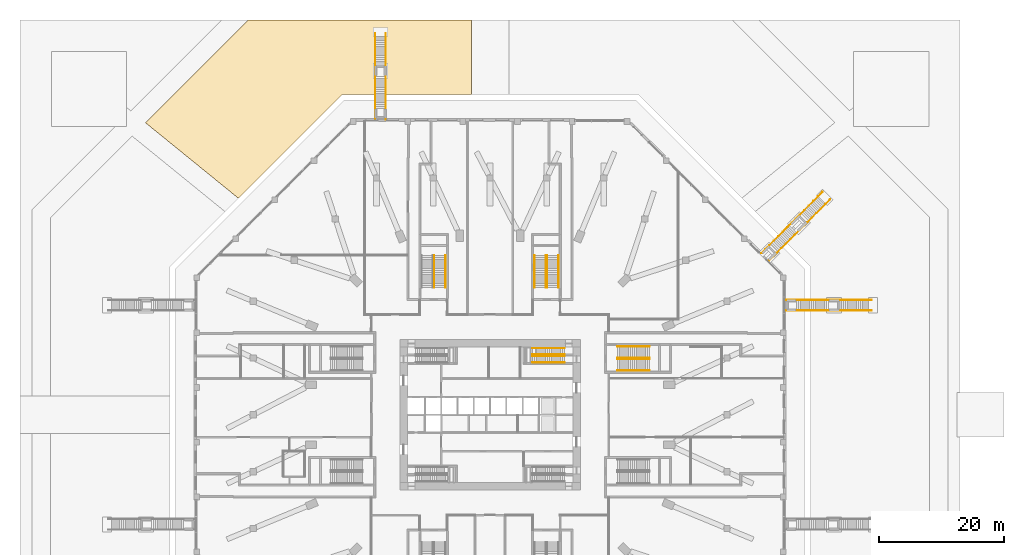
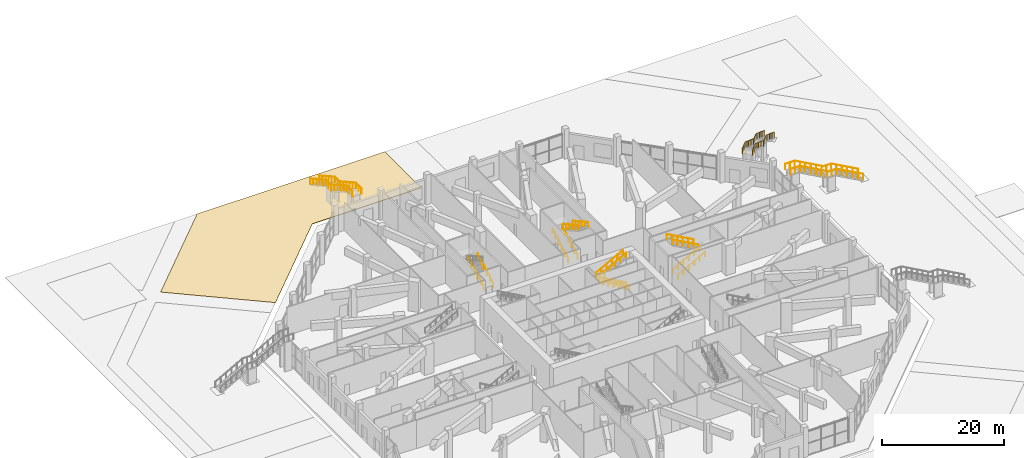
# One storey, part 34 of 36: 20 railings, 1 covering.
"""IFC4 building model written with IfcOpenShell, lengths in metres."""

from ifc_helpers import new_model, si_unit, direction, frame, origin, origin_2d, place, context, subcontext, project, spatial, polyline, circle, outline, extrude, material, layer, layer_set, constituent, constituent_set, type_object, element, save


model = new_model("IFC4")

# Units and contexts
model_context = context("Model", 3, precision=1e-05, world=origin(), true_north=direction((0.0, 1.0)))
body_context = subcontext(model_context, "Body", "Model", "MODEL_VIEW")
ifc_project = project(units=[si_unit("LENGTHUNIT", "METRE"), si_unit("AREAUNIT", "SQUARE_METRE"), si_unit("VOLUMEUNIT", "CUBIC_METRE"), si_unit("PLANEANGLEUNIT", "RADIAN"), si_unit("MASSUNIT", "GRAM", prefix="KILO")], contexts=[model_context])

# Site, building, storey
site_placement = place(None, origin())
site = spatial("IfcSite", under=ifc_project, at=site_placement, CompositionType="ELEMENT")
building_placement = place(site_placement, origin())
building = spatial("IfcBuilding", under=site, at=building_placement, Name="Msitu Wima Residences", CompositionType="ELEMENT")
storey_placement = place(building_placement, origin())
storey = spatial("IfcBuildingStorey", under=building, at=storey_placement, Name="L00", CompositionType="ELEMENT", Elevation=0.0)

# Covering
ifc_material_1 = material(Name="Lawn and planting")
ifc_layer = layer(ifc_material_1, 0.10009765625)
ifc_layer_set = layer_set([ifc_layer], Name="Lawn and planting")
covering_type = type_object("IfcCoveringType", Name="Garden lawn LN100", PredefinedType="USERDEFINED", material=ifc_layer_set)
covering_placement = place(storey_placement, frame((0.0, 0.0, -0.10009765625)))
element("IfcCovering", 1, at=covering_placement, inside=storey, type_object=covering_type, Name="Public garden lawn and planting", ObjectType="LAWN", PredefinedType="USERDEFINED", context=body_context, shape_type="SweptSolid", body=[
    extrude(outline(polyline([(-3.0, 63.0), (-3.0, 51.10009765625), (-23.636962890625, 51.10009765625), (-40.16796875, 34.569091796875), (-54.99267578125, 46.6142578125), (-38.60693359375, 63.0), (-3.0, 63.0)])), origin(), (0.0, 0.0, 1.0), 0.10009765625),
])

# Railings
ifc_material_2 = material(Name="Steel S355", Category="steel")
ifc_constituent_1 = constituent(ifc_material_2, Name="Steel S355")
ifc_material_3 = material(Name="Black powder coating")
ifc_constituent_2 = constituent(ifc_material_3, Name="Black powder coating")
ifc_constituent_set_1 = constituent_set(constituents=[ifc_constituent_1, ifc_constituent_2], Name="Steel S355")
railing_type_1 = type_object("IfcRailingType", Name="Stair handrail HR1", PredefinedType="HANDRAIL", material=ifc_constituent_set_1)
for number, where, name in (
    (2, (11.875, 8.375, 0.166748046875), "Stair 3 handrail"),
    (3, (11.875, 9.375, 0.166748046875), "Stair 3 handrail"),
):
    element("IfcRailing", number, at=place(storey_placement, frame(where)), inside=storey, type_object=railing_type_1, Name=name, PredefinedType="HANDRAIL", context=body_context, shape_type="SweptSolid", body=[
        extrude(circle(Radius=0.02392578125, at=origin_2d()), frame((0.0, 0.0, 0.8759765625), z_axis=(-0.874167145328, 0.0, 0.485625166182), x_axis=(0.0, -1.0, 0.0)), (0.0, 0.0, 1.0), 5.834228515625),
        extrude(circle(Radius=0.02099609375, at=origin_2d()), origin(), (0.0, 0.0, 1.0), 0.851806640625),
        extrude(circle(Radius=0.02099609375, at=origin_2d()), frame((-1.02001953125, 0.0, 0.566650390625)), (0.0, 0.0, 1.0), 0.851806640625),
        extrude(circle(Radius=0.02099609375, at=origin_2d()), frame((-2.0400390625, 0.0, 1.13330078125)), (0.0, 0.0, 1.0), 0.851806640625),
        extrude(circle(Radius=0.02099609375, at=origin_2d()), frame((-3.06005859375, 0.0, 1.699951171875)), (0.0, 0.0, 1.0), 0.851806640625),
        extrude(circle(Radius=0.02099609375, at=origin_2d()), frame((-4.080078125, 0.0, 2.2666015625)), (0.0, 0.0, 1.0), 0.851806640625),
        extrude(circle(Radius=0.02099609375, at=origin_2d()), frame((-5.10009765625, 0.0, 2.833251953125)), (0.0, 0.0, 1.0), 0.851806640625),
    ])
for number, where, name in (
    (4, (6.77490234375, 9.625, 3.166748046875), "Stair 3 handrail"),
    (5, (6.77490234375, 10.625, 3.166748046875), "Stair 3 handrail"),
    (6, (20.324951171875, 7.10009765625, 0.166748046875), "Podium exit stair 1 handrail"),
    (7, (20.324951171875, 8.89990234375, 0.166748046875), "Podium exit stair 1 handrail"),
):
    element("IfcRailing", number, at=place(storey_placement, frame(where)), inside=storey, type_object=railing_type_1, Name=name, PredefinedType="HANDRAIL", context=body_context, shape_type="SweptSolid", body=[
        extrude(circle(Radius=0.02392578125, at=origin_2d()), frame((0.0, 0.0, 0.8759765625), z_axis=(0.874167145328, 0.0, 0.485625166182), x_axis=(0.0, 1.0, 0.0)), (0.0, 0.0, 1.0), 5.834228515625),
        extrude(circle(Radius=0.02099609375, at=origin_2d()), origin(), (0.0, 0.0, 1.0), 0.851806640625),
        extrude(circle(Radius=0.02099609375, at=origin_2d()), frame((1.02001953125, 0.0, 0.566650390625)), (0.0, 0.0, 1.0), 0.851806640625),
        extrude(circle(Radius=0.02099609375, at=origin_2d()), frame((2.0400390625, 0.0, 1.13330078125)), (0.0, 0.0, 1.0), 0.851806640625),
        extrude(circle(Radius=0.02099609375, at=origin_2d()), frame((3.06005859375, 0.0, 1.699951171875)), (0.0, 0.0, 1.0), 0.851806640625),
        extrude(circle(Radius=0.02099609375, at=origin_2d()), frame((4.080078125, 0.0, 2.2666015625)), (0.0, 0.0, 1.0), 0.851806640625),
        extrude(circle(Radius=0.02099609375, at=origin_2d()), frame((5.10009765625, 0.0, 2.833251953125)), (0.0, 0.0, 1.0), 0.851806640625),
    ])
for number, where, name in (
    (8, (25.425048828125, 9.10009765625, 3.166748046875), "Podium exit stair 1 handrail"),
    (9, (25.425048828125, 10.89990234375, 3.166748046875), "Podium exit stair 1 handrail"),
):
    element("IfcRailing", number, at=place(storey_placement, frame(where)), inside=storey, type_object=railing_type_1, Name=name, PredefinedType="HANDRAIL", context=body_context, shape_type="SweptSolid", body=[
        extrude(circle(Radius=0.02392578125, at=origin_2d()), frame((0.0, 0.0, 0.8759765625), z_axis=(-0.874167145328, 0.0, 0.485625166182), x_axis=(0.0, -1.0, 0.0)), (0.0, 0.0, 1.0), 5.834228515625),
        extrude(circle(Radius=0.02099609375, at=origin_2d()), origin(), (0.0, 0.0, 1.0), 0.851806640625),
        extrude(circle(Radius=0.02099609375, at=origin_2d()), frame((-1.02001953125, 0.0, 0.566650390625)), (0.0, 0.0, 1.0), 0.851806640625),
        extrude(circle(Radius=0.02099609375, at=origin_2d()), frame((-2.0400390625, 0.0, 1.13330078125)), (0.0, 0.0, 1.0), 0.851806640625),
        extrude(circle(Radius=0.02099609375, at=origin_2d()), frame((-3.06005859375, 0.0, 1.699951171875)), (0.0, 0.0, 1.0), 0.851806640625),
        extrude(circle(Radius=0.02099609375, at=origin_2d()), frame((-4.080078125, 0.0, 2.2666015625)), (0.0, 0.0, 1.0), 0.851806640625),
        extrude(circle(Radius=0.02099609375, at=origin_2d()), frame((-5.10009765625, 0.0, 2.833251953125)), (0.0, 0.0, 1.0), 0.851806640625),
    ])
for number, where, name in (
    (10, (-7.10009765625, 20.324951171875, 0.166748046875), "Podium exit stair 3 handrail"),
    (11, (-8.89990234375, 20.324951171875, 0.166748046875), "Podium exit stair 3 handrail"),
    (12, (7.10009765625, 20.324951171875, 0.166748046875), "Podium exit stair 4 handrail"),
    (13, (8.89990234375, 20.324951171875, 0.166748046875), "Podium exit stair 4 handrail"),
):
    element("IfcRailing", number, at=place(storey_placement, frame(where)), inside=storey, type_object=railing_type_1, Name=name, PredefinedType="HANDRAIL", context=body_context, shape_type="SweptSolid", body=[
        extrude(circle(Radius=0.02392578125, at=origin_2d()), frame((0.0, 0.0, 0.8759765625), z_axis=(0.0, 0.874167145328, 0.485625166182), x_axis=(-1.0, 0.0, 0.0)), (0.0, 0.0, 1.0), 5.834228515625),
        extrude(circle(Radius=0.02099609375, at=origin_2d()), origin(), (0.0, 0.0, 1.0), 0.851806640625),
        extrude(circle(Radius=0.02099609375, at=origin_2d()), frame((0.0, 1.02001953125, 0.566650390625)), (0.0, 0.0, 1.0), 0.851806640625),
        extrude(circle(Radius=0.02099609375, at=origin_2d()), frame((0.0, 2.0400390625, 1.13330078125)), (0.0, 0.0, 1.0), 0.851806640625),
        extrude(circle(Radius=0.02099609375, at=origin_2d()), frame((0.0, 3.06005859375, 1.699951171875)), (0.0, 0.0, 1.0), 0.851806640625),
        extrude(circle(Radius=0.02099609375, at=origin_2d()), frame((0.0, 4.080078125, 2.2666015625)), (0.0, 0.0, 1.0), 0.851806640625),
        extrude(circle(Radius=0.02099609375, at=origin_2d()), frame((0.0, 5.10009765625, 2.833251953125)), (0.0, 0.0, 1.0), 0.851806640625),
    ])
for number, where, name in (
    (14, (9.10009765625, 25.425048828125, 3.166748046875), "Podium exit stair 4 handrail"),
    (15, (10.89990234375, 25.425048828125, 3.166748046875), "Podium exit stair 4 handrail"),
):
    element("IfcRailing", number, at=place(storey_placement, frame(where)), inside=storey, type_object=railing_type_1, Name=name, PredefinedType="HANDRAIL", context=body_context, shape_type="SweptSolid", body=[
        extrude(circle(Radius=0.02392578125, at=origin_2d()), frame((0.0, 0.0, 0.8759765625), z_axis=(0.0, -0.874167145328, 0.485625166182), x_axis=(1.0, 0.0, 0.0)), (0.0, 0.0, 1.0), 5.834228515625),
        extrude(circle(Radius=0.02099609375, at=origin_2d()), origin(), (0.0, 0.0, 1.0), 0.851806640625),
        extrude(circle(Radius=0.02099609375, at=origin_2d()), frame((0.0, -1.02001953125, 0.566650390625)), (0.0, 0.0, 1.0), 0.851806640625),
        extrude(circle(Radius=0.02099609375, at=origin_2d()), frame((0.0, -2.0400390625, 1.13330078125)), (0.0, 0.0, 1.0), 0.851806640625),
        extrude(circle(Radius=0.02099609375, at=origin_2d()), frame((0.0, -3.06005859375, 1.699951171875)), (0.0, 0.0, 1.0), 0.851806640625),
        extrude(circle(Radius=0.02099609375, at=origin_2d()), frame((0.0, -4.080078125, 2.2666015625)), (0.0, 0.0, 1.0), 0.851806640625),
        extrude(circle(Radius=0.02099609375, at=origin_2d()), frame((0.0, -5.10009765625, 2.833251953125)), (0.0, 0.0, 1.0), 0.851806640625),
    ])
ifc_constituent_3 = constituent(ifc_material_2, Name="Steel S355")
ifc_material_4 = material(Name="Weathering patina")
ifc_constituent_4 = constituent(ifc_material_4, Name="Weathering patina")
ifc_constituent_set_2 = constituent_set(constituents=[ifc_constituent_3, ifc_constituent_4], Name="Steel S355")
railing_type_2 = type_object("IfcRailingType", Name="Terrace guard GR1100", PredefinedType="GUARDRAIL", material=ifc_constituent_set_2)
railing_1_placement = place(storey_placement, frame((44.4951171875, 24.5849609375, 6.0)))
element("IfcRailing", 16, at=railing_1_placement, inside=storey, type_object=railing_type_2, Name="External stair guard NE1", PredefinedType="GUARDRAIL", context=body_context, shape_type="SweptSolid", body=[
    extrude(circle(Radius=0.02392578125, at=origin_2d()), frame((0.0, 0.0, 1.076171875), z_axis=(0.707174592913, 0.707038962956, 0.0), x_axis=(-0.707038962956, 0.707174592913, 0.0)), (0.0, 0.0, 1.0), 1.800048828125),
    extrude(circle(Radius=0.02392578125, at=origin_2d()), frame((1.27294921875, 1.272705078125, 1.076171875), z_axis=(0.618108981265, 0.618150827382, -0.485624177617), x_axis=(-0.707130715615, 0.707082845948, 0.0)), (0.0, 0.0, 1.0), 5.834228515625),
    extrude(circle(Radius=0.02392578125, at=origin_2d()), frame((4.879150390625, 4.879150390625, -1.75732421875), z_axis=(0.0, 0.0, -1.0), x_axis=(1.0, 0.0, 0.0)), (0.0, 0.0, 1.0), 0.166748046875),
    extrude(circle(Radius=0.02392578125, at=origin_2d()), frame((4.879150390625, 4.879150390625, -1.923828125), z_axis=(0.707106781187, 0.707106781187, 0.0), x_axis=(-0.707106781187, 0.707106781187, 0.0)), (0.0, 0.0, 1.0), 1.7998046875),
    extrude(circle(Radius=0.02392578125, at=origin_2d()), frame((6.15185546875, 6.15185546875, -1.923828125), z_axis=(0.6181249701, 0.6181249701, -0.485636739423), x_axis=(-0.707106781187, 0.707106781187, 0.0)), (0.0, 0.0, 1.0), 5.833984375),
    extrude(circle(Radius=0.02392578125, at=origin_2d()), frame((9.758056640625, 9.758056640625, -4.75732421875), z_axis=(0.0, 0.0, -1.0), x_axis=(1.0, 0.0, 0.0)), (0.0, 0.0, 1.0), 0.166748046875),
    extrude(circle(Radius=0.02099609375, at=origin_2d()), origin(), (0.0, 0.0, 1.0), 1.052001953125),
    extrude(circle(Radius=0.02099609375, at=origin_2d()), frame((0.636474609375, 0.63623046875, 0.0)), (0.0, 0.0, 1.0), 1.052001953125),
    extrude(circle(Radius=0.02099609375, at=origin_2d()), frame((1.27294921875, 1.272705078125, 0.0)), (0.0, 0.0, 1.0), 1.052001953125),
    extrude(circle(Radius=0.02099609375, at=origin_2d()), frame((1.994140625, 1.993896484375, -0.566650390625)), (0.0, 0.0, 1.0), 1.052001953125),
    extrude(circle(Radius=0.02099609375, at=origin_2d()), frame((2.71533203125, 2.71533203125, -1.13330078125)), (0.0, 0.0, 1.0), 1.052001953125),
    extrude(circle(Radius=0.02099609375, at=origin_2d()), frame((3.436767578125, 3.4365234375, -1.699951171875)), (0.0, 0.0, 1.0), 1.052001953125),
    extrude(circle(Radius=0.02099609375, at=origin_2d()), frame((4.157958984375, 4.157958984375, -2.2666015625)), (0.0, 0.0, 1.0), 1.052001953125),
    extrude(circle(Radius=0.02099609375, at=origin_2d()), frame((4.879150390625, 4.879150390625, -2.833251953125)), (0.0, 0.0, 1.0), 1.052001953125),
    extrude(circle(Radius=0.02099609375, at=origin_2d()), frame((4.879150390625, 4.879150390625, -3.0)), (0.0, 0.0, 1.0), 1.052001953125),
    extrude(circle(Radius=0.02099609375, at=origin_2d()), frame((5.515625, 5.515625, -3.0)), (0.0, 0.0, 1.0), 1.052001953125),
    extrude(circle(Radius=0.02099609375, at=origin_2d()), frame((6.15185546875, 6.15185546875, -3.0)), (0.0, 0.0, 1.0), 1.052001953125),
    extrude(circle(Radius=0.02099609375, at=origin_2d()), frame((6.873046875, 6.873046875, -3.566650390625)), (0.0, 0.0, 1.0), 1.052001953125),
    extrude(circle(Radius=0.02099609375, at=origin_2d()), frame((7.59423828125, 7.59423828125, -4.13330078125)), (0.0, 0.0, 1.0), 1.052001953125),
    extrude(circle(Radius=0.02099609375, at=origin_2d()), frame((8.315673828125, 8.315673828125, -4.699951171875)), (0.0, 0.0, 1.0), 1.052001953125),
    extrude(circle(Radius=0.02099609375, at=origin_2d()), frame((9.036865234375, 9.036865234375, -5.2666015625)), (0.0, 0.0, 1.0), 1.052001953125),
    extrude(circle(Radius=0.02099609375, at=origin_2d()), frame((9.758056640625, 9.758056640625, -5.833251953125)), (0.0, 0.0, 1.0), 1.052001953125),
    extrude(circle(Radius=0.02099609375, at=origin_2d()), frame((9.758056640625, 9.758056640625, -6.0)), (0.0, 0.0, 1.0), 1.052001953125),
])
railing_2_placement = place(storey_placement, frame((43.29296875, 25.787109375, 6.0)))
element("IfcRailing", 17, at=railing_2_placement, inside=storey, type_object=railing_type_2, Name="External stair guard NE1", PredefinedType="GUARDRAIL", context=body_context, shape_type="SweptSolid", body=[
    extrude(circle(Radius=0.02392578125, at=origin_2d()), frame((0.0, 0.0, 1.076171875), z_axis=(0.707174592913, 0.707038962956, 0.0), x_axis=(-0.707038962956, 0.707174592913, 0.0)), (0.0, 0.0, 1.0), 1.800048828125),
    extrude(circle(Radius=0.02392578125, at=origin_2d()), frame((1.27294921875, 1.272705078125, 1.076171875), z_axis=(0.6181249701, 0.6181249701, -0.485636739423), x_axis=(-0.707106781187, 0.707106781187, 0.0)), (0.0, 0.0, 1.0), 5.833984375),
    extrude(circle(Radius=0.02392578125, at=origin_2d()), frame((4.879150390625, 4.87890625, -1.75732421875), z_axis=(0.0, 0.0, -1.0), x_axis=(1.0, 0.0, 0.0)), (0.0, 0.0, 1.0), 0.166748046875),
    extrude(circle(Radius=0.02392578125, at=origin_2d()), frame((4.879150390625, 4.87890625, -1.923828125), z_axis=(0.707038962956, 0.707174592913, 0.0), x_axis=(-0.707174592913, 0.707038962956, 0.0)), (0.0, 0.0, 1.0), 1.800048828125),
    extrude(circle(Radius=0.02392578125, at=origin_2d()), frame((6.15185546875, 6.15185546875, -1.923828125), z_axis=(0.618150827382, 0.618108981265, -0.485624177617), x_axis=(-0.707082845948, 0.707130715615, 0.0)), (0.0, 0.0, 1.0), 5.834228515625),
    extrude(circle(Radius=0.02392578125, at=origin_2d()), frame((9.75830078125, 9.758056640625, -4.75732421875), z_axis=(0.0, 0.0, -1.0), x_axis=(1.0, 0.0, 0.0)), (0.0, 0.0, 1.0), 0.166748046875),
    extrude(circle(Radius=0.02099609375, at=origin_2d()), origin(), (0.0, 0.0, 1.0), 1.052001953125),
    extrude(circle(Radius=0.02099609375, at=origin_2d()), frame((0.636474609375, 0.63623046875, 0.0)), (0.0, 0.0, 1.0), 1.052001953125),
    extrude(circle(Radius=0.02099609375, at=origin_2d()), frame((1.27294921875, 1.272705078125, 0.0)), (0.0, 0.0, 1.0), 1.052001953125),
    extrude(circle(Radius=0.02099609375, at=origin_2d()), frame((1.994140625, 1.993896484375, -0.566650390625)), (0.0, 0.0, 1.0), 1.052001953125),
    extrude(circle(Radius=0.02099609375, at=origin_2d()), frame((2.71533203125, 2.715087890625, -1.13330078125)), (0.0, 0.0, 1.0), 1.052001953125),
    extrude(circle(Radius=0.02099609375, at=origin_2d()), frame((3.436767578125, 3.4365234375, -1.699951171875)), (0.0, 0.0, 1.0), 1.052001953125),
    extrude(circle(Radius=0.02099609375, at=origin_2d()), frame((4.157958984375, 4.15771484375, -2.2666015625)), (0.0, 0.0, 1.0), 1.052001953125),
    extrude(circle(Radius=0.02099609375, at=origin_2d()), frame((4.879150390625, 4.87890625, -2.833251953125)), (0.0, 0.0, 1.0), 1.052001953125),
    extrude(circle(Radius=0.02099609375, at=origin_2d()), frame((4.879150390625, 4.87890625, -3.0)), (0.0, 0.0, 1.0), 1.052001953125),
    extrude(circle(Radius=0.02099609375, at=origin_2d()), frame((5.515625, 5.515380859375, -3.0)), (0.0, 0.0, 1.0), 1.052001953125),
    extrude(circle(Radius=0.02099609375, at=origin_2d()), frame((6.15185546875, 6.15185546875, -3.0)), (0.0, 0.0, 1.0), 1.052001953125),
    extrude(circle(Radius=0.02099609375, at=origin_2d()), frame((6.873046875, 6.873046875, -3.566650390625)), (0.0, 0.0, 1.0), 1.052001953125),
    extrude(circle(Radius=0.02099609375, at=origin_2d()), frame((7.594482421875, 7.59423828125, -4.13330078125)), (0.0, 0.0, 1.0), 1.052001953125),
    extrude(circle(Radius=0.02099609375, at=origin_2d()), frame((8.315673828125, 8.315673828125, -4.699951171875)), (0.0, 0.0, 1.0), 1.052001953125),
    extrude(circle(Radius=0.02099609375, at=origin_2d()), frame((9.037109375, 9.036865234375, -5.2666015625)), (0.0, 0.0, 1.0), 1.052001953125),
    extrude(circle(Radius=0.02099609375, at=origin_2d()), frame((9.75830078125, 9.758056640625, -5.833251953125)), (0.0, 0.0, 1.0), 1.052001953125),
    extrude(circle(Radius=0.02099609375, at=origin_2d()), frame((9.75830078125, 9.758056640625, -6.0)), (0.0, 0.0, 1.0), 1.052001953125),
])
railing_3_placement = place(storey_placement, frame((47.10009765625, 16.634765625, 6.0)))
element("IfcRailing", 18, at=railing_3_placement, inside=storey, type_object=railing_type_2, Name="Garden stair 1 guard", PredefinedType="GUARDRAIL", context=body_context, shape_type="SweptSolid", body=[
    extrude(circle(Radius=0.02392578125, at=origin_2d()), frame((0.0, 0.0, 1.076171875), z_axis=(1.0, 0.0, 0.0), x_axis=(0.0, 1.0, 0.0)), (0.0, 0.0, 1.0), 1.7998046875),
    extrude(circle(Radius=0.02392578125, at=origin_2d()), frame((1.7998046875, 0.0, 1.076171875), z_axis=(0.874167145328, 0.0, -0.485625166182), x_axis=(0.0, 1.0, 0.0)), (0.0, 0.0, 1.0), 5.834228515625),
    extrude(circle(Radius=0.02392578125, at=origin_2d()), frame((6.89990234375, 0.0, -1.75732421875), z_axis=(0.0, 0.0, -1.0), x_axis=(1.0, 0.0, 0.0)), (0.0, 0.0, 1.0), 0.166748046875),
    extrude(circle(Radius=0.02392578125, at=origin_2d()), frame((6.89990234375, 0.0, -1.923828125), z_axis=(1.0, 0.0, 0.0), x_axis=(0.0, 1.0, 0.0)), (0.0, 0.0, 1.0), 1.800048828125),
    extrude(circle(Radius=0.02392578125, at=origin_2d()), frame((8.699951171875, 0.0, -1.923828125), z_axis=(0.874157276122, 0.0, -0.485642931179), x_axis=(0.0, 1.0, 0.0)), (0.0, 0.0, 1.0), 5.833984375),
    extrude(circle(Radius=0.02392578125, at=origin_2d()), frame((13.7998046875, 0.0, -4.75732421875), z_axis=(0.0, 0.0, -1.0), x_axis=(1.0, 0.0, 0.0)), (0.0, 0.0, 1.0), 0.166748046875),
    extrude(circle(Radius=0.02099609375, at=origin_2d()), origin(), (0.0, 0.0, 1.0), 1.052001953125),
    extrude(circle(Radius=0.02099609375, at=origin_2d()), frame((0.89990234375, 0.0, 0.0)), (0.0, 0.0, 1.0), 1.052001953125),
    extrude(circle(Radius=0.02099609375, at=origin_2d()), frame((1.7998046875, 0.0, 0.0)), (0.0, 0.0, 1.0), 1.052001953125),
    extrude(circle(Radius=0.02099609375, at=origin_2d()), frame((2.81982421875, 0.0, -0.566650390625)), (0.0, 0.0, 1.0), 1.052001953125),
    extrude(circle(Radius=0.02099609375, at=origin_2d()), frame((3.83984375, 0.0, -1.13330078125)), (0.0, 0.0, 1.0), 1.052001953125),
    extrude(circle(Radius=0.02099609375, at=origin_2d()), frame((4.85986328125, 0.0, -1.699951171875)), (0.0, 0.0, 1.0), 1.052001953125),
    extrude(circle(Radius=0.02099609375, at=origin_2d()), frame((5.8798828125, 0.0, -2.2666015625)), (0.0, 0.0, 1.0), 1.052001953125),
    extrude(circle(Radius=0.02099609375, at=origin_2d()), frame((6.89990234375, 0.0, -2.833251953125)), (0.0, 0.0, 1.0), 1.052001953125),
    extrude(circle(Radius=0.02099609375, at=origin_2d()), frame((6.89990234375, 0.0, -3.0)), (0.0, 0.0, 1.0), 1.052001953125),
    extrude(circle(Radius=0.02099609375, at=origin_2d()), frame((7.7998046875, 0.0, -3.0)), (0.0, 0.0, 1.0), 1.052001953125),
    extrude(circle(Radius=0.02099609375, at=origin_2d()), frame((8.699951171875, 0.0, -3.0)), (0.0, 0.0, 1.0), 1.052001953125),
    extrude(circle(Radius=0.02099609375, at=origin_2d()), frame((9.719970703125, 0.0, -3.566650390625)), (0.0, 0.0, 1.0), 1.052001953125),
    extrude(circle(Radius=0.02099609375, at=origin_2d()), frame((10.739990234375, 0.0, -4.13330078125)), (0.0, 0.0, 1.0), 1.052001953125),
    extrude(circle(Radius=0.02099609375, at=origin_2d()), frame((11.759765625, 0.0, -4.699951171875)), (0.0, 0.0, 1.0), 1.052001953125),
    extrude(circle(Radius=0.02099609375, at=origin_2d()), frame((12.77978515625, 0.0, -5.2666015625)), (0.0, 0.0, 1.0), 1.052001953125),
    extrude(circle(Radius=0.02099609375, at=origin_2d()), frame((13.7998046875, 0.0, -5.833251953125)), (0.0, 0.0, 1.0), 1.052001953125),
    extrude(circle(Radius=0.02099609375, at=origin_2d()), frame((13.7998046875, 0.0, -6.0)), (0.0, 0.0, 1.0), 1.052001953125),
])
railing_4_placement = place(storey_placement, frame((47.10009765625, 18.334716796875, 6.0)))
element("IfcRailing", 19, at=railing_4_placement, inside=storey, type_object=railing_type_2, Name="Garden stair 1 guard", PredefinedType="GUARDRAIL", context=body_context, shape_type="SweptSolid", body=[
    extrude(circle(Radius=0.02392578125, at=origin_2d()), frame((0.0, 0.0, 1.076171875), z_axis=(1.0, 0.0, 0.0), x_axis=(0.0, 1.0, 0.0)), (0.0, 0.0, 1.0), 1.7998046875),
    extrude(circle(Radius=0.02392578125, at=origin_2d()), frame((1.7998046875, 0.0, 1.076171875), z_axis=(0.874167145328, 0.0, -0.485625166182), x_axis=(0.0, 1.0, 0.0)), (0.0, 0.0, 1.0), 5.834228515625),
    extrude(circle(Radius=0.02392578125, at=origin_2d()), frame((6.89990234375, 0.0, -1.75732421875), z_axis=(0.0, 0.0, -1.0), x_axis=(1.0, 0.0, 0.0)), (0.0, 0.0, 1.0), 0.166748046875),
    extrude(circle(Radius=0.02392578125, at=origin_2d()), frame((6.89990234375, 0.0, -1.923828125), z_axis=(1.0, 0.0, 0.0), x_axis=(0.0, 1.0, 0.0)), (0.0, 0.0, 1.0), 1.800048828125),
    extrude(circle(Radius=0.02392578125, at=origin_2d()), frame((8.699951171875, 0.0, -1.923828125), z_axis=(0.874157276122, 0.0, -0.485642931179), x_axis=(0.0, 1.0, 0.0)), (0.0, 0.0, 1.0), 5.833984375),
    extrude(circle(Radius=0.02392578125, at=origin_2d()), frame((13.7998046875, 0.0, -4.75732421875), z_axis=(0.0, 0.0, -1.0), x_axis=(1.0, 0.0, 0.0)), (0.0, 0.0, 1.0), 0.166748046875),
    extrude(circle(Radius=0.02099609375, at=origin_2d()), origin(), (0.0, 0.0, 1.0), 1.052001953125),
    extrude(circle(Radius=0.02099609375, at=origin_2d()), frame((0.89990234375, 0.0, 0.0)), (0.0, 0.0, 1.0), 1.052001953125),
    extrude(circle(Radius=0.02099609375, at=origin_2d()), frame((1.7998046875, 0.0, 0.0)), (0.0, 0.0, 1.0), 1.052001953125),
    extrude(circle(Radius=0.02099609375, at=origin_2d()), frame((2.81982421875, 0.0, -0.566650390625)), (0.0, 0.0, 1.0), 1.052001953125),
    extrude(circle(Radius=0.02099609375, at=origin_2d()), frame((3.83984375, 0.0, -1.13330078125)), (0.0, 0.0, 1.0), 1.052001953125),
    extrude(circle(Radius=0.02099609375, at=origin_2d()), frame((4.85986328125, 0.0, -1.699951171875)), (0.0, 0.0, 1.0), 1.052001953125),
    extrude(circle(Radius=0.02099609375, at=origin_2d()), frame((5.8798828125, 0.0, -2.2666015625)), (0.0, 0.0, 1.0), 1.052001953125),
    extrude(circle(Radius=0.02099609375, at=origin_2d()), frame((6.89990234375, 0.0, -2.833251953125)), (0.0, 0.0, 1.0), 1.052001953125),
    extrude(circle(Radius=0.02099609375, at=origin_2d()), frame((6.89990234375, 0.0, -3.0)), (0.0, 0.0, 1.0), 1.052001953125),
    extrude(circle(Radius=0.02099609375, at=origin_2d()), frame((7.7998046875, 0.0, -3.0)), (0.0, 0.0, 1.0), 1.052001953125),
    extrude(circle(Radius=0.02099609375, at=origin_2d()), frame((8.699951171875, 0.0, -3.0)), (0.0, 0.0, 1.0), 1.052001953125),
    extrude(circle(Radius=0.02099609375, at=origin_2d()), frame((9.719970703125, 0.0, -3.566650390625)), (0.0, 0.0, 1.0), 1.052001953125),
    extrude(circle(Radius=0.02099609375, at=origin_2d()), frame((10.739990234375, 0.0, -4.13330078125)), (0.0, 0.0, 1.0), 1.052001953125),
    extrude(circle(Radius=0.02099609375, at=origin_2d()), frame((11.759765625, 0.0, -4.699951171875)), (0.0, 0.0, 1.0), 1.052001953125),
    extrude(circle(Radius=0.02099609375, at=origin_2d()), frame((12.77978515625, 0.0, -5.2666015625)), (0.0, 0.0, 1.0), 1.052001953125),
    extrude(circle(Radius=0.02099609375, at=origin_2d()), frame((13.7998046875, 0.0, -5.833251953125)), (0.0, 0.0, 1.0), 1.052001953125),
    extrude(circle(Radius=0.02099609375, at=origin_2d()), frame((13.7998046875, 0.0, -6.0)), (0.0, 0.0, 1.0), 1.052001953125),
])
railing_5_placement = place(storey_placement, frame((-16.634765625, 47.10009765625, 6.0)))
element("IfcRailing", 20, at=railing_5_placement, inside=storey, type_object=railing_type_2, Name="Garden stair 5 guard", PredefinedType="GUARDRAIL", context=body_context, shape_type="SweptSolid", body=[
    extrude(circle(Radius=0.02392578125, at=origin_2d()), frame((0.0, 0.0, 1.076171875), z_axis=(0.0, 1.0, 0.0), x_axis=(-1.0, 0.0, 0.0)), (0.0, 0.0, 1.0), 1.7998046875),
    extrude(circle(Radius=0.02392578125, at=origin_2d()), frame((0.0, 1.7998046875, 1.076171875), z_axis=(0.0, 0.874167145328, -0.485625166182), x_axis=(-1.0, 0.0, 0.0)), (0.0, 0.0, 1.0), 5.834228515625),
    extrude(circle(Radius=0.02392578125, at=origin_2d()), frame((0.0, 6.89990234375, -1.75732421875), z_axis=(0.0, 0.0, -1.0), x_axis=(1.0, 0.0, 0.0)), (0.0, 0.0, 1.0), 0.166748046875),
    extrude(circle(Radius=0.02392578125, at=origin_2d()), frame((0.0, 6.89990234375, -1.923828125), z_axis=(0.0, 1.0, 0.0), x_axis=(-1.0, 0.0, 0.0)), (0.0, 0.0, 1.0), 1.800048828125),
    extrude(circle(Radius=0.02392578125, at=origin_2d()), frame((0.0, 8.699951171875, -1.923828125), z_axis=(0.0, 0.874157276122, -0.485642931179), x_axis=(-1.0, 0.0, 0.0)), (0.0, 0.0, 1.0), 5.833984375),
    extrude(circle(Radius=0.02392578125, at=origin_2d()), frame((0.0, 13.7998046875, -4.75732421875), z_axis=(0.0, 0.0, -1.0), x_axis=(1.0, 0.0, 0.0)), (0.0, 0.0, 1.0), 0.166748046875),
    extrude(circle(Radius=0.02099609375, at=origin_2d()), origin(), (0.0, 0.0, 1.0), 1.052001953125),
    extrude(circle(Radius=0.02099609375, at=origin_2d()), frame((0.0, 0.89990234375, 0.0)), (0.0, 0.0, 1.0), 1.052001953125),
    extrude(circle(Radius=0.02099609375, at=origin_2d()), frame((0.0, 1.7998046875, 0.0)), (0.0, 0.0, 1.0), 1.052001953125),
    extrude(circle(Radius=0.02099609375, at=origin_2d()), frame((0.0, 2.81982421875, -0.566650390625)), (0.0, 0.0, 1.0), 1.052001953125),
    extrude(circle(Radius=0.02099609375, at=origin_2d()), frame((0.0, 3.83984375, -1.13330078125)), (0.0, 0.0, 1.0), 1.052001953125),
    extrude(circle(Radius=0.02099609375, at=origin_2d()), frame((0.0, 4.85986328125, -1.699951171875)), (0.0, 0.0, 1.0), 1.052001953125),
    extrude(circle(Radius=0.02099609375, at=origin_2d()), frame((0.0, 5.8798828125, -2.2666015625)), (0.0, 0.0, 1.0), 1.052001953125),
    extrude(circle(Radius=0.02099609375, at=origin_2d()), frame((0.0, 6.89990234375, -2.833251953125)), (0.0, 0.0, 1.0), 1.052001953125),
    extrude(circle(Radius=0.02099609375, at=origin_2d()), frame((0.0, 6.89990234375, -3.0)), (0.0, 0.0, 1.0), 1.052001953125),
    extrude(circle(Radius=0.02099609375, at=origin_2d()), frame((0.0, 7.7998046875, -3.0)), (0.0, 0.0, 1.0), 1.052001953125),
    extrude(circle(Radius=0.02099609375, at=origin_2d()), frame((0.0, 8.699951171875, -3.0)), (0.0, 0.0, 1.0), 1.052001953125),
    extrude(circle(Radius=0.02099609375, at=origin_2d()), frame((0.0, 9.719970703125, -3.566650390625)), (0.0, 0.0, 1.0), 1.052001953125),
    extrude(circle(Radius=0.02099609375, at=origin_2d()), frame((0.0, 10.739990234375, -4.13330078125)), (0.0, 0.0, 1.0), 1.052001953125),
    extrude(circle(Radius=0.02099609375, at=origin_2d()), frame((0.0, 11.759765625, -4.699951171875)), (0.0, 0.0, 1.0), 1.052001953125),
    extrude(circle(Radius=0.02099609375, at=origin_2d()), frame((0.0, 12.77978515625, -5.2666015625)), (0.0, 0.0, 1.0), 1.052001953125),
    extrude(circle(Radius=0.02099609375, at=origin_2d()), frame((0.0, 13.7998046875, -5.833251953125)), (0.0, 0.0, 1.0), 1.052001953125),
    extrude(circle(Radius=0.02099609375, at=origin_2d()), frame((0.0, 13.7998046875, -6.0)), (0.0, 0.0, 1.0), 1.052001953125),
])
railing_6_placement = place(storey_placement, frame((-18.334716796875, 47.10009765625, 6.0)))
element("IfcRailing", 21, at=railing_6_placement, inside=storey, type_object=railing_type_2, Name="Garden stair 5 guard", PredefinedType="GUARDRAIL", context=body_context, shape_type="SweptSolid", body=[
    extrude(circle(Radius=0.02392578125, at=origin_2d()), frame((0.0, 0.0, 1.076171875), z_axis=(0.0, 1.0, 0.0), x_axis=(-1.0, 0.0, 0.0)), (0.0, 0.0, 1.0), 1.7998046875),
    extrude(circle(Radius=0.02392578125, at=origin_2d()), frame((0.0, 1.7998046875, 1.076171875), z_axis=(0.0, 0.874167145328, -0.485625166182), x_axis=(-1.0, 0.0, 0.0)), (0.0, 0.0, 1.0), 5.834228515625),
    extrude(circle(Radius=0.02392578125, at=origin_2d()), frame((0.0, 6.89990234375, -1.75732421875), z_axis=(0.0, 0.0, -1.0), x_axis=(1.0, 0.0, 0.0)), (0.0, 0.0, 1.0), 0.166748046875),
    extrude(circle(Radius=0.02392578125, at=origin_2d()), frame((0.0, 6.89990234375, -1.923828125), z_axis=(0.0, 1.0, 0.0), x_axis=(-1.0, 0.0, 0.0)), (0.0, 0.0, 1.0), 1.800048828125),
    extrude(circle(Radius=0.02392578125, at=origin_2d()), frame((0.0, 8.699951171875, -1.923828125), z_axis=(0.0, 0.874157276122, -0.485642931179), x_axis=(-1.0, 0.0, 0.0)), (0.0, 0.0, 1.0), 5.833984375),
    extrude(circle(Radius=0.02392578125, at=origin_2d()), frame((0.0, 13.7998046875, -4.75732421875), z_axis=(0.0, 0.0, -1.0), x_axis=(1.0, 0.0, 0.0)), (0.0, 0.0, 1.0), 0.166748046875),
    extrude(circle(Radius=0.02099609375, at=origin_2d()), origin(), (0.0, 0.0, 1.0), 1.052001953125),
    extrude(circle(Radius=0.02099609375, at=origin_2d()), frame((0.0, 0.89990234375, 0.0)), (0.0, 0.0, 1.0), 1.052001953125),
    extrude(circle(Radius=0.02099609375, at=origin_2d()), frame((0.0, 1.7998046875, 0.0)), (0.0, 0.0, 1.0), 1.052001953125),
    extrude(circle(Radius=0.02099609375, at=origin_2d()), frame((0.0, 2.81982421875, -0.566650390625)), (0.0, 0.0, 1.0), 1.052001953125),
    extrude(circle(Radius=0.02099609375, at=origin_2d()), frame((0.0, 3.83984375, -1.13330078125)), (0.0, 0.0, 1.0), 1.052001953125),
    extrude(circle(Radius=0.02099609375, at=origin_2d()), frame((0.0, 4.85986328125, -1.699951171875)), (0.0, 0.0, 1.0), 1.052001953125),
    extrude(circle(Radius=0.02099609375, at=origin_2d()), frame((0.0, 5.8798828125, -2.2666015625)), (0.0, 0.0, 1.0), 1.052001953125),
    extrude(circle(Radius=0.02099609375, at=origin_2d()), frame((0.0, 6.89990234375, -2.833251953125)), (0.0, 0.0, 1.0), 1.052001953125),
    extrude(circle(Radius=0.02099609375, at=origin_2d()), frame((0.0, 6.89990234375, -3.0)), (0.0, 0.0, 1.0), 1.052001953125),
    extrude(circle(Radius=0.02099609375, at=origin_2d()), frame((0.0, 7.7998046875, -3.0)), (0.0, 0.0, 1.0), 1.052001953125),
    extrude(circle(Radius=0.02099609375, at=origin_2d()), frame((0.0, 8.699951171875, -3.0)), (0.0, 0.0, 1.0), 1.052001953125),
    extrude(circle(Radius=0.02099609375, at=origin_2d()), frame((0.0, 9.719970703125, -3.566650390625)), (0.0, 0.0, 1.0), 1.052001953125),
    extrude(circle(Radius=0.02099609375, at=origin_2d()), frame((0.0, 10.739990234375, -4.13330078125)), (0.0, 0.0, 1.0), 1.052001953125),
    extrude(circle(Radius=0.02099609375, at=origin_2d()), frame((0.0, 11.759765625, -4.699951171875)), (0.0, 0.0, 1.0), 1.052001953125),
    extrude(circle(Radius=0.02099609375, at=origin_2d()), frame((0.0, 12.77978515625, -5.2666015625)), (0.0, 0.0, 1.0), 1.052001953125),
    extrude(circle(Radius=0.02099609375, at=origin_2d()), frame((0.0, 13.7998046875, -5.833251953125)), (0.0, 0.0, 1.0), 1.052001953125),
    extrude(circle(Radius=0.02099609375, at=origin_2d()), frame((0.0, 13.7998046875, -6.0)), (0.0, 0.0, 1.0), 1.052001953125),
])

save(model, "model.ifc")
